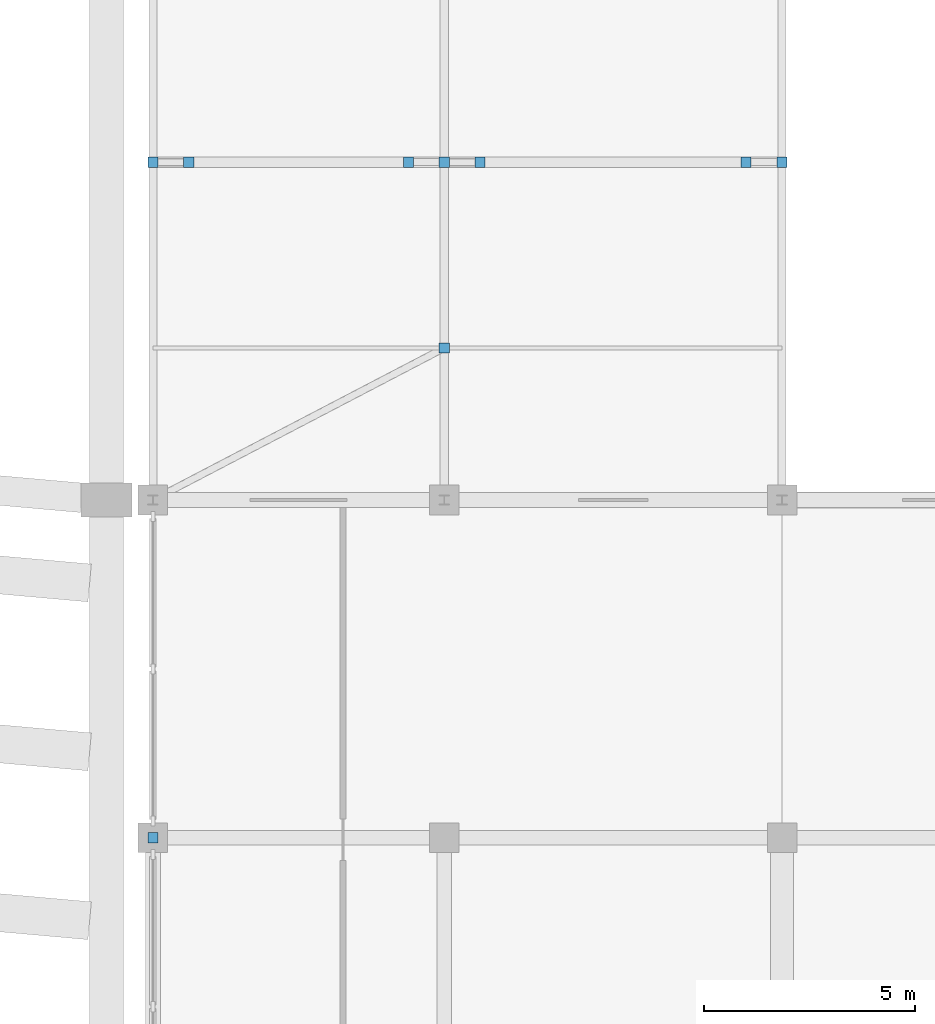
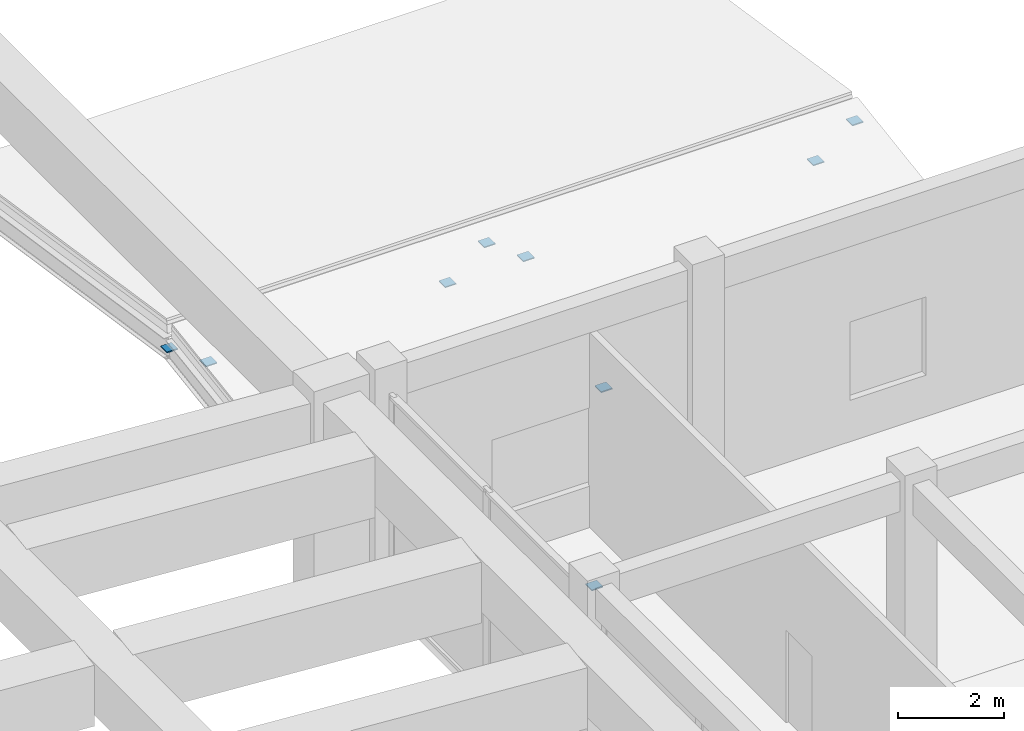
# One storey, part 57 of 69: 9 discrete accessories.
"""IFC4 building model written with IfcOpenShell, lengths in metres."""

from ifc_helpers import new_model, si_unit, direction, frame, origin, origin_2d, place, context, subcontext, project, spatial, rectangle, extrude, material, type_object, element, save


model = new_model("IFC4")

# Units and contexts
model_context = context("Model", 3, precision=1e-05, world=origin(), true_north=direction((0.0, 1.0)))
body_context = subcontext(model_context, "Body", "Model", "MODEL_VIEW")
ifc_project = project(units=[si_unit("LENGTHUNIT", "METRE"), si_unit("AREAUNIT", "SQUARE_METRE"), si_unit("VOLUMEUNIT", "CUBIC_METRE"), si_unit("PLANEANGLEUNIT", "RADIAN"), si_unit("MASSUNIT", "GRAM", prefix="KILO")], contexts=[model_context])

# Site, building, storey
site_placement = place(None, origin())
site = spatial("IfcSite", under=ifc_project, at=site_placement, CompositionType="ELEMENT")
building_placement = place(site_placement, origin())
building = spatial("IfcBuilding", under=site, at=building_placement, Name="Kenh Van Central Station", CompositionType="ELEMENT")
storey_placement = place(building_placement, frame((0.0, 0.0, 5.39990234375)))
storey = spatial("IfcBuildingStorey", under=building, at=storey_placement, Name="L01", CompositionType="ELEMENT", Elevation=5.39990234375)

# Discrete accessories
ifc_material = material(Name="Structural steel S355JR", Category="steel")
discrete_accessory_type = type_object("IfcDiscreteAccessoryType", Name="ACC-END-NODE", PredefinedType="BRACKET", material=ifc_material)
for number, where, z_axis, x_axis, name in (
    (1, (152.0, 99.60009765625, 0.057861328125), (0.0, 0.0, 1.0), (1.0, 0.0, 0.0), "L01 brace end connection node plate 0379"),
    (2, (145.949951171875, 104.0, 0.097900390625), (0.0, 0.0, 1.0), (1.0, 0.0, 0.0), "L01 brace end connection node plate 0380"),
    (3, (159.14990234375, 104.0, 0.097900390625), (0.0, 0.0, 1.0), (1.0, 0.0, 0.0), "L01 brace end connection node plate 0381"),
    (4, (145.10009765625, 104.0, 0.7177734375), (0.0, 0.0, 1.0), (1.0, 0.0, 0.0), "L01 brace end connection node plate 0382"),
    (5, (151.14990234375, 104.0, 0.097900390625), (0.0, 0.0, 1.0), (1.0, 0.0, 0.0), "L01 brace end connection node plate 0383"),
    (6, (152.0, 104.0, 0.7177734375), (0.0, 0.0, 1.0), (1.0, 0.0, 0.0), "L01 brace end connection node plate 0384"),
    (7, (152.85009765625, 104.0, 0.097900390625), (0.0, 0.0, 1.0), (1.0, 0.0, 0.0), "L01 brace end connection node plate 0385"),
    (8, (160.0, 104.0, 0.7177734375), (0.0, 0.0, 1.0), (1.0, 0.0, 0.0), "L01 brace end connection node plate 0386"),
    (9, (145.10009765625, 88.0, 4.953125), (0.0, 0.0, 1.0), (1.0, 0.0, 0.0), "L01 brace end connection node plate 0436"),
):
    element("IfcDiscreteAccessory", number, at=place(storey_placement, frame(where, z_axis=z_axis, x_axis=x_axis)), inside=storey, type_object=discrete_accessory_type, Name=name, PredefinedType="BRACKET", context=body_context, shape_type="SweptSolid", body=[
        extrude(rectangle(XDim=0.239990234375, YDim=0.239990234375, at=origin_2d()), origin(), (0.0, 0.0, 1.0), 0.02490234375),
    ])

save(model, "model.ifc")
